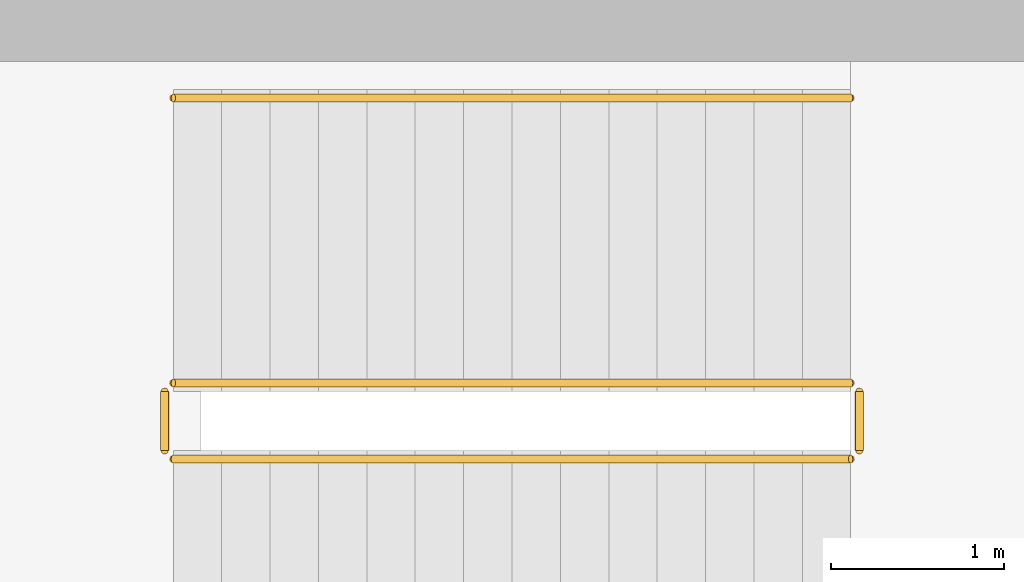
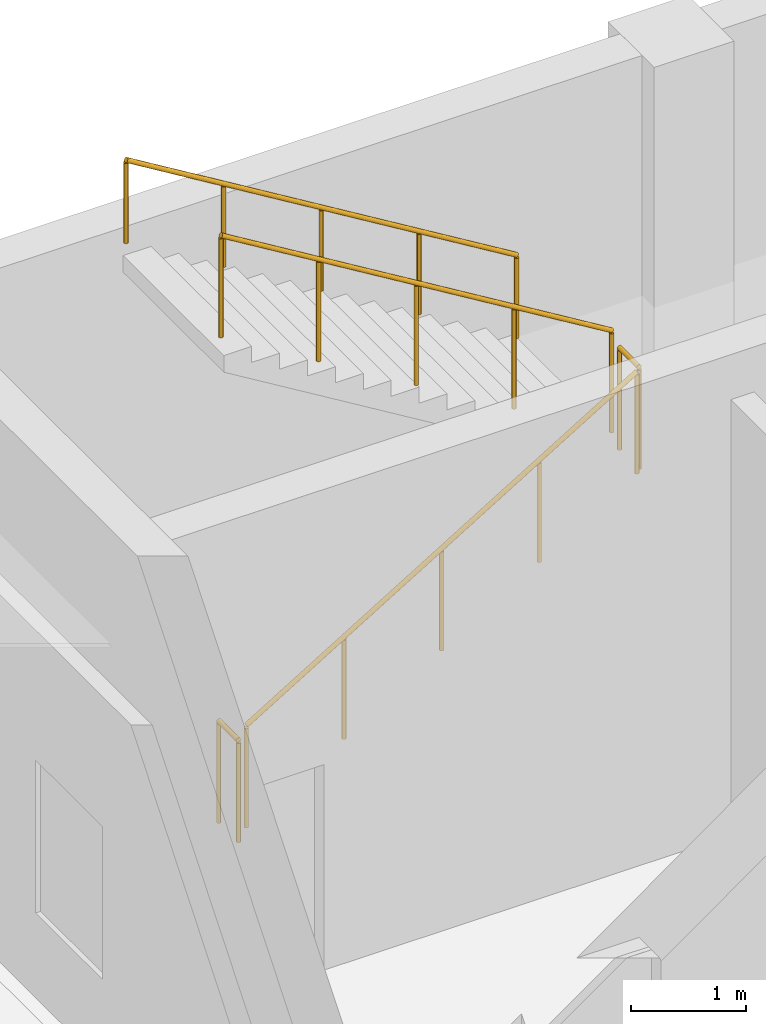
# One storey, part 73 of 73: 5 railings.
"""IFC4 building model written with IfcOpenShell, lengths in metres."""

from ifc_helpers import new_model, si_unit, direction, frame, origin, origin_2d, place, context, subcontext, project, spatial, circle, extrude, material, layer, layer_set, type_object, element, save


model = new_model("IFC4")

# Units and contexts
model_context = context("Model", 3, precision=1e-05, world=origin(), true_north=direction((0.0, 1.0)))
body_context = subcontext(model_context, "Body", "Model", "MODEL_VIEW")
ifc_project = project(units=[si_unit("LENGTHUNIT", "METRE"), si_unit("AREAUNIT", "SQUARE_METRE"), si_unit("VOLUMEUNIT", "CUBIC_METRE"), si_unit("PLANEANGLEUNIT", "RADIAN"), si_unit("MASSUNIT", "GRAM", prefix="KILO")], contexts=[model_context])

# Site, building, storey
site_placement = place(None, origin())
site = spatial("IfcSite", under=ifc_project, at=site_placement, CompositionType="ELEMENT")
building_placement = place(site_placement, origin())
building = spatial("IfcBuilding", under=site, at=building_placement, Name="Zulmaris Art Gallery", CompositionType="ELEMENT")
storey_placement = place(building_placement, frame((0.0, 0.0, 10.5)))
storey = spatial("IfcBuildingStorey", under=building, at=storey_placement, Name="L02", CompositionType="ELEMENT", Elevation=10.5)

# Railings
ifc_material_1 = material(Name="Steel S355J2", Category="steel")
ifc_layer_1 = layer(ifc_material_1, 0.050048828125)
ifc_layer_set_1 = layer_set([ifc_layer_1], Name="Steel S355J2")
railing_type_1 = type_object("IfcRailingType", Name="RAIL-STGRD", PredefinedType="GUARDRAIL", material=ifc_layer_set_1)
railing_1_placement = place(storey_placement, frame((186.300048828125, 73.110107421875, 0.169921875)))
element("IfcRailing", 1, at=railing_1_placement, inside=storey, type_object=railing_type_1, Name="L02 ST4 stair guard 1", PredefinedType="GUARDRAIL", context=body_context, shape_type="SweptSolid", body=[
    extrude(circle(Radius=0.02392578125, at=origin_2d()), frame((0.0, 0.0, 1.076171875), z_axis=(0.854770645689, 0.0, 0.519005918337), x_axis=(0.0, 1.0, 0.0)), (0.0, 0.0, 1.0), 4.5859375),
    extrude(circle(Radius=0.02099609375, at=origin_2d()), origin(), (0.0, 0.0, 1.0), 1.052001953125),
    extrude(circle(Radius=0.02099609375, at=origin_2d()), frame((0.97998046875, 0.0, 0.594970703125)), (0.0, 0.0, 1.0), 1.052001953125),
    extrude(circle(Radius=0.02099609375, at=origin_2d()), frame((1.9599609375, 0.0, 1.18994140625)), (0.0, 0.0, 1.0), 1.052001953125),
    extrude(circle(Radius=0.02099609375, at=origin_2d()), frame((2.93994140625, 0.0, 1.78515625)), (0.0, 0.0, 1.0), 1.052001953125),
    extrude(circle(Radius=0.02099609375, at=origin_2d()), frame((3.919921875, 0.0, 2.380126953125)), (0.0, 0.0, 1.0), 1.052001953125),
])
railing_2_placement = place(storey_placement, frame((190.27001953125, 73.159912109375, 2.550048828125)))
element("IfcRailing", 2, at=railing_2_placement, inside=storey, type_object=railing_type_1, Name="L02 ST4 stair guard 2", PredefinedType="GUARDRAIL", context=body_context, shape_type="SweptSolid", body=[
    extrude(circle(Radius=0.02392578125, at=origin_2d()), frame((0.0, 0.0, 1.076171875), z_axis=(0.0, 1.0, 0.0), x_axis=(-1.0, 0.0, 0.0)), (0.0, 0.0, 1.0), 0.340087890625),
    extrude(circle(Radius=0.02099609375, at=origin_2d()), origin(), (0.0, 0.0, 1.0), 1.052001953125),
    extrude(circle(Radius=0.02099609375, at=origin_2d()), frame((0.0, 0.340087890625, 0.0)), (0.0, 0.0, 1.0), 1.052001953125),
])
railing_3_placement = place(storey_placement, frame((190.219970703125, 73.550048828125, 2.719970703125)))
element("IfcRailing", 3, at=railing_3_placement, inside=storey, type_object=railing_type_1, Name="L02 ST4 stair guard 3", PredefinedType="GUARDRAIL", context=body_context, shape_type="SweptSolid", body=[
    extrude(circle(Radius=0.02392578125, at=origin_2d()), frame((0.0, 0.0, 1.076171875), z_axis=(-0.854770645689, 0.0, 0.519005918337), x_axis=(0.0, -1.0, 0.0)), (0.0, 0.0, 1.0), 4.5859375),
    extrude(circle(Radius=0.02099609375, at=origin_2d()), origin(), (0.0, 0.0, 1.0), 1.052001953125),
    extrude(circle(Radius=0.02099609375, at=origin_2d()), frame((-0.97998046875, 0.0, 0.594970703125)), (0.0, 0.0, 1.0), 1.052001953125),
    extrude(circle(Radius=0.02099609375, at=origin_2d()), frame((-1.9599609375, 0.0, 1.18994140625)), (0.0, 0.0, 1.0), 1.052001953125),
    extrude(circle(Radius=0.02099609375, at=origin_2d()), frame((-2.93994140625, 0.0, 1.78515625)), (0.0, 0.0, 1.0), 1.052001953125),
    extrude(circle(Radius=0.02099609375, at=origin_2d()), frame((-3.919921875, 0.0, 2.380126953125)), (0.0, 0.0, 1.0), 1.052001953125),
])
railing_4_placement = place(storey_placement, frame((186.25, 73.159912109375, 0.0)))
element("IfcRailing", 4, at=railing_4_placement, inside=storey, type_object=railing_type_1, Name="L02 ST4 stair guard 4", PredefinedType="GUARDRAIL", context=body_context, shape_type="SweptSolid", body=[
    extrude(circle(Radius=0.02392578125, at=origin_2d()), frame((0.0, 0.0, 1.076171875), z_axis=(0.0, 1.0, 0.0), x_axis=(-1.0, 0.0, 0.0)), (0.0, 0.0, 1.0), 0.340087890625),
    extrude(circle(Radius=0.02099609375, at=origin_2d()), origin(), (0.0, 0.0, 1.0), 1.052001953125),
    extrude(circle(Radius=0.02099609375, at=origin_2d()), frame((0.0, 0.340087890625, 0.0)), (0.0, 0.0, 1.0), 1.052001953125),
])
ifc_material_2 = material(Name="Brushed Bronze Handrail", Category="steel")
ifc_layer_2 = layer(ifc_material_2, 0.048095703125)
ifc_layer_set_2 = layer_set([ifc_layer_2], Name="Brushed Bronze Handrail")
railing_type_2 = type_object("IfcRailingType", Name="RAIL-STHND", PredefinedType="HANDRAIL", material=ifc_layer_set_2)
railing_5_placement = place(storey_placement, frame((190.219970703125, 75.199951171875, 2.719970703125)))
element("IfcRailing", 5, at=railing_5_placement, inside=storey, type_object=railing_type_2, Name="L02 ST4 stair handrail 2", PredefinedType="HANDRAIL", context=body_context, shape_type="SweptSolid", body=[
    extrude(circle(Radius=0.02392578125, at=origin_2d()), frame((0.0, 0.0, 0.8759765625), z_axis=(-0.854770645689, 0.0, 0.519005918337), x_axis=(0.0, -1.0, 0.0)), (0.0, 0.0, 1.0), 4.5859375),
    extrude(circle(Radius=0.02099609375, at=origin_2d()), origin(), (0.0, 0.0, 1.0), 0.851806640625),
    extrude(circle(Radius=0.02099609375, at=origin_2d()), frame((-0.97998046875, 0.0, 0.594970703125)), (0.0, 0.0, 1.0), 0.851806640625),
    extrude(circle(Radius=0.02099609375, at=origin_2d()), frame((-1.9599609375, 0.0, 1.18994140625)), (0.0, 0.0, 1.0), 0.851806640625),
    extrude(circle(Radius=0.02099609375, at=origin_2d()), frame((-2.93994140625, 0.0, 1.78515625)), (0.0, 0.0, 1.0), 0.851806640625),
    extrude(circle(Radius=0.02099609375, at=origin_2d()), frame((-3.919921875, 0.0, 2.380126953125)), (0.0, 0.0, 1.0), 0.851806640625),
])

save(model, "model.ifc")
